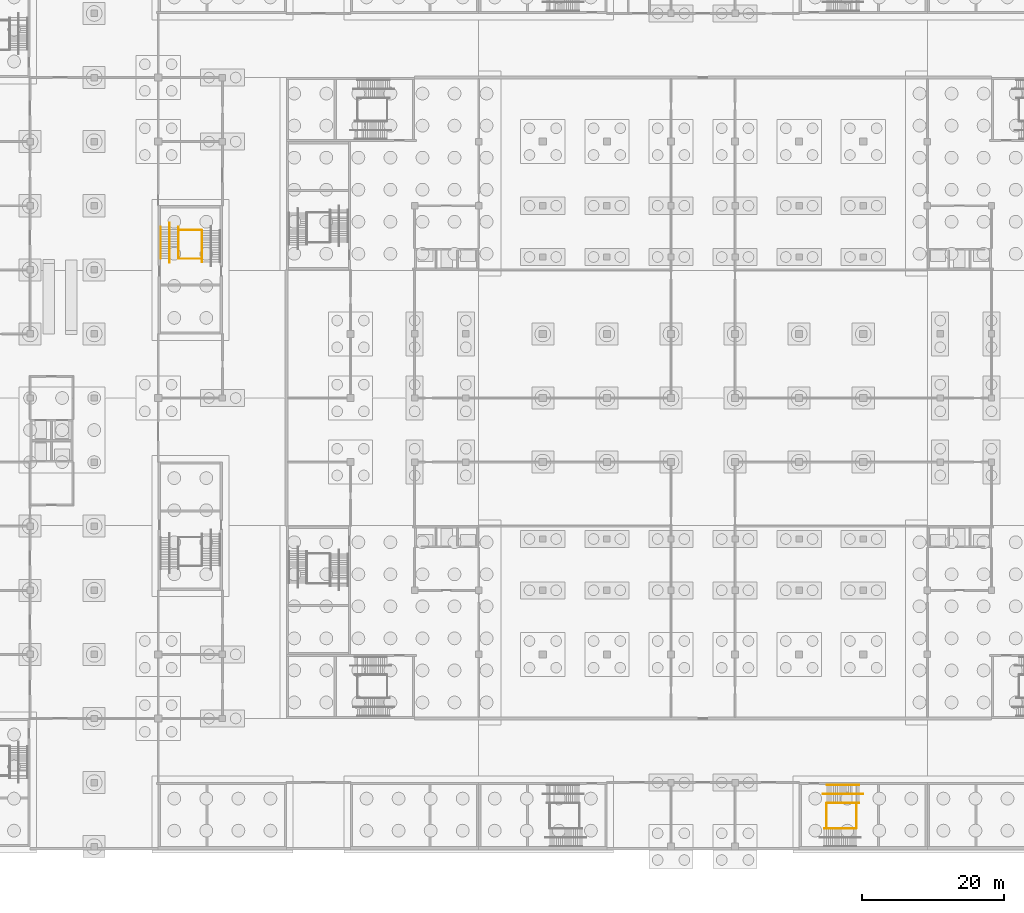
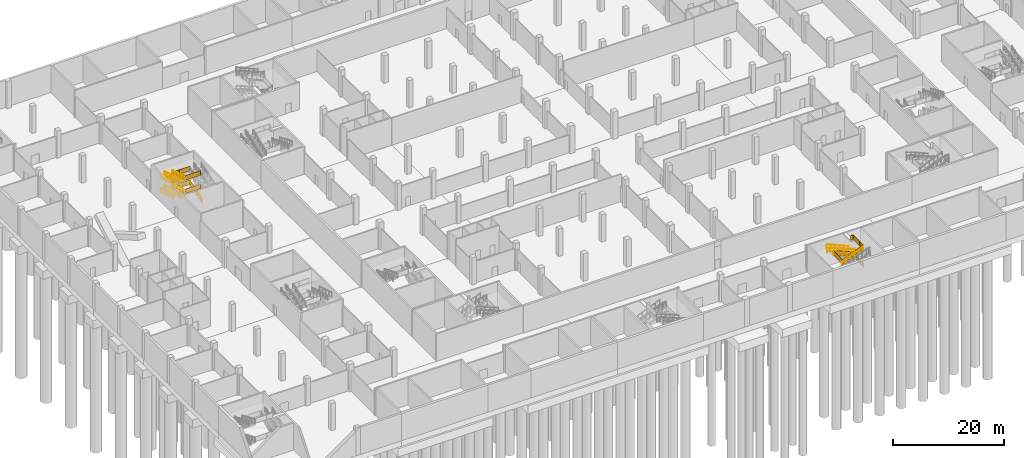
# One storey, part 30 of 42: 23 railings.
"""IFC4 building model written with IfcOpenShell, lengths in metres."""

from ifc_helpers import new_model, si_unit, direction, frame, origin, origin_2d, place, context, subcontext, project, spatial, polyline, circle, outline, extrude, material, type_object, element, save


model = new_model("IFC4")

# Units and contexts
model_context = context("Model", 3, precision=1e-05, world=origin(), true_north=direction((0.0, 1.0)))
body_context = subcontext(model_context, "Body", "Model", "MODEL_VIEW")
ifc_project = project(units=[si_unit("LENGTHUNIT", "METRE"), si_unit("AREAUNIT", "SQUARE_METRE"), si_unit("VOLUMEUNIT", "CUBIC_METRE"), si_unit("PLANEANGLEUNIT", "RADIAN"), si_unit("MASSUNIT", "GRAM", prefix="KILO")], contexts=[model_context])

# Site, building, storey
site_placement = place(None, origin())
site = spatial("IfcSite", under=ifc_project, at=site_placement, CompositionType="ELEMENT")
building_placement = place(site_placement, origin())
building = spatial("IfcBuilding", under=site, at=building_placement, Name="Silverbay Arena", CompositionType="ELEMENT")
storey_placement = place(building_placement, frame((0.0, 0.0, -6.0)))
storey = spatial("IfcBuildingStorey", under=building, at=storey_placement, Name="B1", CompositionType="ELEMENT", Elevation=-6.0)

# Railings
ifc_material_1 = material(Name="Stainless steel", Category="steel")
railing_type_1 = type_object("IfcRailingType", Name="Stair guard 1100", PredefinedType="GUARDRAIL", material=ifc_material_1)
railing_1_placement = place(storey_placement, frame((152.39990234375, 24.125, 2.125)))
element("IfcRailing", 1, at=railing_1_placement, inside=storey, type_object=railing_type_1, Name="Stair ST-S3 B1 to L00 flight 2 guard right", PredefinedType="GUARDRAIL", context=body_context, shape_type="SweptSolid", body=[
    extrude(circle(Radius=0.02392578125, at=origin_2d()), frame((0.0, 0.0, 1.076171875), z_axis=(-0.923076923077, 0.0, 0.384615384615), x_axis=(0.0, -1.0, 0.0)), (0.0, 0.0, 1.0), 4.875),
    extrude(outline(polyline([(-0.008056640625, 0.046630859375), (0.907958984375, 0.42822265625), (0.907958984375, 1.431396484375), (-0.008056640625, 1.049560546875), (-0.008056640625, 0.046630859375)])), frame((0.0, -0.0029296875, 0.0), z_axis=(0.0, 1.0, 0.0), x_axis=(-1.0, 0.0, 0.0)), (0.0, 0.0, 1.0), 0.006103515625),
    extrude(outline(polyline([(-0.008056640625, 0.421630859375), (0.907958984375, 0.80322265625), (0.907958984375, 1.806396484375), (-0.008056640625, 1.424560546875), (-0.008056640625, 0.421630859375)])), frame((-0.89990234375, -0.0029296875, 0.0), z_axis=(0.0, 1.0, 0.0), x_axis=(-1.0, 0.0, 0.0)), (0.0, 0.0, 1.0), 0.006103515625),
    extrude(outline(polyline([(-0.008056640625, 0.796630859375), (0.907958984375, 1.17822265625), (0.907958984375, 2.181396484375), (-0.008056640625, 1.799560546875), (-0.008056640625, 0.796630859375)])), frame((-1.800048828125, -0.0029296875, 0.0), z_axis=(0.0, 1.0, 0.0), x_axis=(-1.0, 0.0, 0.0)), (0.0, 0.0, 1.0), 0.006103515625),
    extrude(outline(polyline([(-0.008056640625, 1.171630859375), (0.907958984375, 1.55322265625), (0.907958984375, 2.556396484375), (-0.008056640625, 2.174560546875), (-0.008056640625, 1.171630859375)])), frame((-2.699951171875, -0.0029296875, 0.0), z_axis=(0.0, 1.0, 0.0), x_axis=(-1.0, 0.0, 0.0)), (0.0, 0.0, 1.0), 0.006103515625),
    extrude(outline(polyline([(-0.008056640625, 1.546630859375), (0.907958984375, 1.92822265625), (0.907958984375, 2.931396484375), (-0.008056640625, 2.549560546875), (-0.008056640625, 1.546630859375)])), frame((-3.60009765625, -0.0029296875, 0.0), z_axis=(0.0, 1.0, 0.0), x_axis=(-1.0, 0.0, 0.0)), (0.0, 0.0, 1.0), 0.006103515625),
    extrude(circle(Radius=0.02099609375, at=origin_2d()), origin(), (0.0, 0.0, 1.0), 1.052001953125),
    extrude(circle(Radius=0.02099609375, at=origin_2d()), frame((-0.89990234375, 0.0, 0.375)), (0.0, 0.0, 1.0), 1.052001953125),
    extrude(circle(Radius=0.02099609375, at=origin_2d()), frame((-1.800048828125, 0.0, 0.75)), (0.0, 0.0, 1.0), 1.052001953125),
    extrude(circle(Radius=0.02099609375, at=origin_2d()), frame((-2.699951171875, 0.0, 1.125)), (0.0, 0.0, 1.0), 1.052001953125),
    extrude(circle(Radius=0.02099609375, at=origin_2d()), frame((-3.60009765625, 0.0, 1.5)), (0.0, 0.0, 1.0), 1.052001953125),
    extrude(circle(Radius=0.02099609375, at=origin_2d()), frame((-4.5, 0.0, 1.875)), (0.0, 0.0, 1.0), 1.052001953125),
])
railing_2_placement = place(storey_placement, frame((147.510009765625, 20.574951171875, 4.125)))
element("IfcRailing", 2, at=railing_2_placement, inside=storey, type_object=railing_type_1, Name="Stair ST-S3 B1 to L00 flight 3 guard left", PredefinedType="GUARDRAIL", context=body_context, shape_type="SweptSolid", body=[
    extrude(circle(Radius=0.02392578125, at=origin_2d()), frame((0.0, 0.0, 1.076171875), z_axis=(0.923076923077, 0.0, 0.384615384615), x_axis=(0.0, 1.0, 0.0)), (0.0, 0.0, 1.0), 4.875),
    extrude(outline(polyline([(-0.008056640625, 0.046630859375), (0.907958984375, 0.42822265625), (0.907958984375, 1.431396484375), (-0.008056640625, 1.049560546875), (-0.008056640625, 0.046630859375)])), frame((0.0, 0.0029296875, 0.0), z_axis=(0.0, -1.0, 0.0), x_axis=(1.0, 0.0, 0.0)), (0.0, 0.0, 1.0), 0.006103515625),
    extrude(outline(polyline([(-0.008056640625, 0.421630859375), (0.907958984375, 0.80322265625), (0.907958984375, 1.806396484375), (-0.008056640625, 1.424560546875), (-0.008056640625, 0.421630859375)])), frame((0.89990234375, 0.0029296875, 0.0), z_axis=(0.0, -1.0, 0.0), x_axis=(1.0, 0.0, 0.0)), (0.0, 0.0, 1.0), 0.006103515625),
    extrude(outline(polyline([(-0.008056640625, 0.796630859375), (0.907958984375, 1.17822265625), (0.907958984375, 2.181396484375), (-0.008056640625, 1.799560546875), (-0.008056640625, 0.796630859375)])), frame((1.800048828125, 0.0029296875, 0.0), z_axis=(0.0, -1.0, 0.0), x_axis=(1.0, 0.0, 0.0)), (0.0, 0.0, 1.0), 0.006103515625),
    extrude(outline(polyline([(-0.008056640625, 1.171630859375), (0.907958984375, 1.55322265625), (0.907958984375, 2.556396484375), (-0.008056640625, 2.174560546875), (-0.008056640625, 1.171630859375)])), frame((2.699951171875, 0.0029296875, 0.0), z_axis=(0.0, -1.0, 0.0), x_axis=(1.0, 0.0, 0.0)), (0.0, 0.0, 1.0), 0.006103515625),
    extrude(outline(polyline([(-0.008056640625, 1.546630859375), (0.907958984375, 1.92822265625), (0.907958984375, 2.931396484375), (-0.008056640625, 2.549560546875), (-0.008056640625, 1.546630859375)])), frame((3.60009765625, 0.0029296875, 0.0), z_axis=(0.0, -1.0, 0.0), x_axis=(1.0, 0.0, 0.0)), (0.0, 0.0, 1.0), 0.006103515625),
    extrude(circle(Radius=0.02099609375, at=origin_2d()), origin(), (0.0, 0.0, 1.0), 1.052001953125),
    extrude(circle(Radius=0.02099609375, at=origin_2d()), frame((0.89990234375, 0.0, 0.375)), (0.0, 0.0, 1.0), 1.052001953125),
    extrude(circle(Radius=0.02099609375, at=origin_2d()), frame((1.800048828125, 0.0, 0.75)), (0.0, 0.0, 1.0), 1.052001953125),
    extrude(circle(Radius=0.02099609375, at=origin_2d()), frame((2.699951171875, 0.0, 1.125)), (0.0, 0.0, 1.0), 1.052001953125),
    extrude(circle(Radius=0.02099609375, at=origin_2d()), frame((3.60009765625, 0.0, 1.5)), (0.0, 0.0, 1.0), 1.052001953125),
    extrude(circle(Radius=0.02099609375, at=origin_2d()), frame((4.5, 0.0, 1.875)), (0.0, 0.0, 1.0), 1.052001953125),
])
for number, where, name in (
    (3, (152.06005859375, 24.10009765625, 2.0), "Stair ST-S3 B1 to L00 landing 1 guard"),
    (4, (147.85009765625, 24.10009765625, 4.0), "Stair ST-S3 B1 to L00 landing 2 guard"),
):
    element("IfcRailing", number, at=place(storey_placement, frame(where)), inside=storey, type_object=railing_type_1, Name=name, PredefinedType="GUARDRAIL", context=body_context, shape_type="SweptSolid", body=[
        extrude(circle(Radius=0.02392578125, at=origin_2d()), frame((0.0, 0.0, 1.076171875), z_axis=(0.0, -1.0, 0.0), x_axis=(1.0, 0.0, 0.0)), (0.0, 0.0, 1.0), 3.5),
        extrude(outline(polyline([(-0.008056640625, 0.050048828125), (1.174560546875, 0.050048828125), (1.174560546875, 1.052978515625), (-0.008056640625, 1.052978515625), (-0.008056640625, 0.050048828125)])), frame((0.0029296875, 0.0, 0.0), z_axis=(-1.0, 0.0, 0.0), x_axis=(0.0, -1.0, 0.0)), (0.0, 0.0, 1.0), 0.006103515625),
        extrude(outline(polyline([(-0.008056640625, 0.050048828125), (1.174560546875, 0.050048828125), (1.174560546875, 1.052978515625), (-0.008056640625, 1.052978515625), (-0.008056640625, 0.050048828125)])), frame((0.0029296875, -1.166748046875, 0.0), z_axis=(-1.0, 0.0, 0.0), x_axis=(0.0, -1.0, 0.0)), (0.0, 0.0, 1.0), 0.006103515625),
        extrude(outline(polyline([(-0.008056640625, 0.050048828125), (1.174560546875, 0.050048828125), (1.174560546875, 1.052978515625), (-0.008056640625, 1.052978515625), (-0.008056640625, 0.050048828125)])), frame((0.0029296875, -2.333251953125, 0.0), z_axis=(-1.0, 0.0, 0.0), x_axis=(0.0, -1.0, 0.0)), (0.0, 0.0, 1.0), 0.006103515625),
        extrude(circle(Radius=0.02099609375, at=origin_2d()), origin(), (0.0, 0.0, 1.0), 1.052001953125),
        extrude(circle(Radius=0.02099609375, at=origin_2d()), frame((0.0, -1.166748046875, 0.0)), (0.0, 0.0, 1.0), 1.052001953125),
        extrude(circle(Radius=0.02099609375, at=origin_2d()), frame((0.0, -2.333251953125, 0.0)), (0.0, 0.0, 1.0), 1.052001953125),
        extrude(circle(Radius=0.02099609375, at=origin_2d()), frame((0.0, -3.5, 0.0)), (0.0, 0.0, 1.0), 1.052001953125),
    ])
railing_3_placement = place(storey_placement, frame((151.449951171875, 24.14990234375, 6.0)))
element("IfcRailing", 5, at=railing_3_placement, inside=storey, type_object=railing_type_1, Name="Stair ST-S3 B1 to L00 landing 3 guard", PredefinedType="GUARDRAIL", context=body_context, shape_type="SweptSolid", body=[
    extrude(circle(Radius=0.02392578125, at=origin_2d()), frame((0.0, 0.0, 1.076171875), z_axis=(1.0, 0.0, 0.0), x_axis=(0.0, 1.0, 0.0)), (0.0, 0.0, 1.0), 0.56005859375),
    extrude(outline(polyline([(-0.008056640625, 0.050048828125), (0.568115234375, 0.050048828125), (0.568115234375, 1.052978515625), (-0.008056640625, 1.052978515625), (-0.008056640625, 0.050048828125)])), frame((0.0, 0.0029296875, 0.0), z_axis=(0.0, -1.0, 0.0), x_axis=(1.0, 0.0, 0.0)), (0.0, 0.0, 1.0), 0.006103515625),
    extrude(circle(Radius=0.02392578125, at=origin_2d()), frame((0.56005859375, 0.0, 1.076171875), z_axis=(0.0, -1.0, 0.0), x_axis=(1.0, 0.0, 0.0)), (0.0, 0.0, 1.0), 3.5498046875),
    extrude(outline(polyline([(-0.008056640625, 0.050048828125), (1.191162109375, 0.050048828125), (1.191162109375, 1.052978515625), (-0.008056640625, 1.052978515625), (-0.008056640625, 0.050048828125)])), frame((0.56298828125, 0.0, 0.0), z_axis=(-1.0, 0.0, 0.0), x_axis=(0.0, -1.0, 0.0)), (0.0, 0.0, 1.0), 0.006103515625),
    extrude(outline(polyline([(-0.008056640625, 0.050048828125), (1.191162109375, 0.050048828125), (1.191162109375, 1.052978515625), (-0.008056640625, 1.052978515625), (-0.008056640625, 0.050048828125)])), frame((0.56298828125, -1.183349609375, 0.0), z_axis=(-1.0, 0.0, 0.0), x_axis=(0.0, -1.0, 0.0)), (0.0, 0.0, 1.0), 0.006103515625),
    extrude(outline(polyline([(-0.008056640625, 0.050048828125), (1.191162109375, 0.050048828125), (1.191162109375, 1.052978515625), (-0.008056640625, 1.052978515625), (-0.008056640625, 0.050048828125)])), frame((0.56298828125, -2.366455078125, 0.0), z_axis=(-1.0, 0.0, 0.0), x_axis=(0.0, -1.0, 0.0)), (0.0, 0.0, 1.0), 0.006103515625),
    extrude(circle(Radius=0.02099609375, at=origin_2d()), origin(), (0.0, 0.0, 1.0), 1.052001953125),
    extrude(circle(Radius=0.02099609375, at=origin_2d()), frame((0.56005859375, 0.0, 0.0)), (0.0, 0.0, 1.0), 1.052001953125),
    extrude(circle(Radius=0.02099609375, at=origin_2d()), frame((0.56005859375, -1.183349609375, 0.0)), (0.0, 0.0, 1.0), 1.052001953125),
    extrude(circle(Radius=0.02099609375, at=origin_2d()), frame((0.56005859375, -2.366455078125, 0.0)), (0.0, 0.0, 1.0), 1.052001953125),
    extrude(circle(Radius=0.02099609375, at=origin_2d()), frame((0.56005859375, -3.5498046875, 0.0)), (0.0, 0.0, 1.0), 1.052001953125),
])
railing_4_placement = place(storey_placement, frame((60.125, 100.100830078125, 0.107177734375)))
element("IfcRailing", 6, at=railing_4_placement, inside=storey, type_object=railing_type_1, Name="Stair ST-W2 B1 to L00 flight 1 guard right", PredefinedType="GUARDRAIL", context=body_context, shape_type="SweptSolid", body=[
    extrude(circle(Radius=0.02392578125, at=origin_2d()), frame((0.0, 0.0, 1.076171875), z_axis=(0.0, 0.953769580967, 0.300538826811), x_axis=(-1.0, 0.0, 0.0)), (0.0, 0.0, 1.0), 4.634521484375),
    extrude(outline(polyline([(-0.008056640625, 0.04736328125), (1.113037109375, 0.400634765625), (1.113037109375, 1.40380859375), (-0.008056640625, 1.050537109375), (-0.008056640625, 0.04736328125)])), frame((-0.0029296875, 0.0, 0.0), z_axis=(1.0, 0.0, 0.0), x_axis=(0.0, 1.0, 0.0)), (0.0, 0.0, 1.0), 0.006103515625),
    extrude(outline(polyline([(-0.008056640625, 0.395751953125), (1.113037109375, 0.7490234375), (1.113037109375, 1.751953125), (-0.008056640625, 1.398681640625), (-0.008056640625, 0.395751953125)])), frame((-0.0029296875, 1.10498046875, 0.0), z_axis=(1.0, 0.0, 0.0), x_axis=(0.0, 1.0, 0.0)), (0.0, 0.0, 1.0), 0.006103515625),
    extrude(outline(polyline([(-0.008056640625, 0.743896484375), (1.113037109375, 1.09716796875), (1.113037109375, 2.10009765625), (-0.008056640625, 1.746826171875), (-0.008056640625, 0.743896484375)])), frame((-0.0029296875, 2.2099609375, 0.0), z_axis=(1.0, 0.0, 0.0), x_axis=(0.0, 1.0, 0.0)), (0.0, 0.0, 1.0), 0.006103515625),
    extrude(outline(polyline([(-0.008056640625, 1.092041015625), (1.113037109375, 1.4453125), (1.113037109375, 2.4482421875), (-0.008056640625, 2.09521484375), (-0.008056640625, 1.092041015625)])), frame((-0.0029296875, 3.315185546875, 0.0), z_axis=(1.0, 0.0, 0.0), x_axis=(0.0, 1.0, 0.0)), (0.0, 0.0, 1.0), 0.006103515625),
    extrude(circle(Radius=0.02099609375, at=origin_2d()), origin(), (0.0, 0.0, 1.0), 1.052001953125),
    extrude(circle(Radius=0.02099609375, at=origin_2d()), frame((0.0, 1.10498046875, 0.34814453125)), (0.0, 0.0, 1.0), 1.052001953125),
    extrude(circle(Radius=0.02099609375, at=origin_2d()), frame((0.0, 2.2099609375, 0.6962890625)), (0.0, 0.0, 1.0), 1.052001953125),
    extrude(circle(Radius=0.02099609375, at=origin_2d()), frame((0.0, 3.315185546875, 1.044677734375)), (0.0, 0.0, 1.0), 1.052001953125),
    extrude(circle(Radius=0.02099609375, at=origin_2d()), frame((0.0, 4.420166015625, 1.392822265625)), (0.0, 0.0, 1.0), 1.052001953125),
])
railing_5_placement = place(storey_placement, frame((56.875, 105.02001953125, 1.607177734375)))
element("IfcRailing", 7, at=railing_5_placement, inside=storey, type_object=railing_type_1, Name="Stair ST-W2 B1 to L00 flight 2 guard left", PredefinedType="GUARDRAIL", context=body_context, shape_type="SweptSolid", body=[
    extrude(circle(Radius=0.02392578125, at=origin_2d()), frame((0.0, 0.0, 1.076171875), z_axis=(0.0, -0.953764822371, 0.300553927951), x_axis=(1.0, 0.0, 0.0)), (0.0, 0.0, 1.0), 4.63427734375),
    extrude(outline(polyline([(-0.008056640625, 0.04736328125), (1.113037109375, 0.400634765625), (1.113037109375, 1.40380859375), (-0.008056640625, 1.050537109375), (-0.008056640625, 0.04736328125)])), frame((0.0029296875, 0.0, 0.0), z_axis=(-1.0, 0.0, 0.0), x_axis=(0.0, -1.0, 0.0)), (0.0, 0.0, 1.0), 0.006103515625),
    extrude(outline(polyline([(-0.008056640625, 0.395751953125), (1.113037109375, 0.7490234375), (1.113037109375, 1.751953125), (-0.008056640625, 1.398681640625), (-0.008056640625, 0.395751953125)])), frame((0.0029296875, -1.10498046875, 0.0), z_axis=(-1.0, 0.0, 0.0), x_axis=(0.0, -1.0, 0.0)), (0.0, 0.0, 1.0), 0.006103515625),
    extrude(outline(polyline([(-0.008056640625, 0.743896484375), (1.113037109375, 1.09716796875), (1.113037109375, 2.10009765625), (-0.008056640625, 1.746826171875), (-0.008056640625, 0.743896484375)])), frame((0.0029296875, -2.2099609375, 0.0), z_axis=(-1.0, 0.0, 0.0), x_axis=(0.0, -1.0, 0.0)), (0.0, 0.0, 1.0), 0.006103515625),
    extrude(outline(polyline([(-0.008056640625, 1.092041015625), (1.113037109375, 1.4453125), (1.113037109375, 2.4482421875), (-0.008056640625, 2.09521484375), (-0.008056640625, 1.092041015625)])), frame((0.0029296875, -3.31494140625, 0.0), z_axis=(-1.0, 0.0, 0.0), x_axis=(0.0, -1.0, 0.0)), (0.0, 0.0, 1.0), 0.006103515625),
    extrude(circle(Radius=0.02099609375, at=origin_2d()), origin(), (0.0, 0.0, 1.0), 1.052001953125),
    extrude(circle(Radius=0.02099609375, at=origin_2d()), frame((0.0, -1.10498046875, 0.34814453125)), (0.0, 0.0, 1.0), 1.052001953125),
    extrude(circle(Radius=0.02099609375, at=origin_2d()), frame((0.0, -2.2099609375, 0.6962890625)), (0.0, 0.0, 1.0), 1.052001953125),
    extrude(circle(Radius=0.02099609375, at=origin_2d()), frame((0.0, -3.31494140625, 1.044677734375)), (0.0, 0.0, 1.0), 1.052001953125),
    extrude(circle(Radius=0.02099609375, at=origin_2d()), frame((0.0, -4.419921875, 1.392822265625)), (0.0, 0.0, 1.0), 1.052001953125),
])
railing_6_placement = place(storey_placement, frame((56.875, 105.02001953125, 4.607177734375)))
element("IfcRailing", 8, at=railing_6_placement, inside=storey, type_object=railing_type_1, Name="Stair ST-W2 B1 to L00 flight 4 guard left", PredefinedType="GUARDRAIL", context=body_context, shape_type="SweptSolid", body=[
    extrude(circle(Radius=0.02392578125, at=origin_2d()), frame((0.0, 0.0, 1.076171875), z_axis=(0.0, -0.953764822371, 0.300553927951), x_axis=(1.0, 0.0, 0.0)), (0.0, 0.0, 1.0), 4.63427734375),
    extrude(outline(polyline([(-0.008056640625, 0.04736328125), (1.113037109375, 0.400634765625), (1.113037109375, 1.40380859375), (-0.008056640625, 1.050537109375), (-0.008056640625, 0.04736328125)])), frame((0.0029296875, 0.0, 0.0), z_axis=(-1.0, 0.0, 0.0), x_axis=(0.0, -1.0, 0.0)), (0.0, 0.0, 1.0), 0.006103515625),
    extrude(outline(polyline([(-0.008056640625, 0.395751953125), (1.113037109375, 0.7490234375), (1.113037109375, 1.751953125), (-0.008056640625, 1.398681640625), (-0.008056640625, 0.395751953125)])), frame((0.0029296875, -1.10498046875, 0.0), z_axis=(-1.0, 0.0, 0.0), x_axis=(0.0, -1.0, 0.0)), (0.0, 0.0, 1.0), 0.006103515625),
    extrude(outline(polyline([(-0.008056640625, 0.743896484375), (1.113037109375, 1.09716796875), (1.113037109375, 2.10009765625), (-0.008056640625, 1.746826171875), (-0.008056640625, 0.743896484375)])), frame((0.0029296875, -2.2099609375, 0.0), z_axis=(-1.0, 0.0, 0.0), x_axis=(0.0, -1.0, 0.0)), (0.0, 0.0, 1.0), 0.006103515625),
    extrude(outline(polyline([(-0.008056640625, 1.092041015625), (1.113037109375, 1.4453125), (1.113037109375, 2.4482421875), (-0.008056640625, 2.09521484375), (-0.008056640625, 1.092041015625)])), frame((0.0029296875, -3.31494140625, 0.0), z_axis=(-1.0, 0.0, 0.0), x_axis=(0.0, -1.0, 0.0)), (0.0, 0.0, 1.0), 0.006103515625),
    extrude(circle(Radius=0.02099609375, at=origin_2d()), origin(), (0.0, 0.0, 1.0), 1.052001953125),
    extrude(circle(Radius=0.02099609375, at=origin_2d()), frame((0.0, -1.10498046875, 0.34814453125)), (0.0, 0.0, 1.0), 1.052001953125),
    extrude(circle(Radius=0.02099609375, at=origin_2d()), frame((0.0, -2.2099609375, 0.6962890625)), (0.0, 0.0, 1.0), 1.052001953125),
    extrude(circle(Radius=0.02099609375, at=origin_2d()), frame((0.0, -3.31494140625, 1.044677734375)), (0.0, 0.0, 1.0), 1.052001953125),
    extrude(circle(Radius=0.02099609375, at=origin_2d()), frame((0.0, -4.419921875, 1.392822265625)), (0.0, 0.0, 1.0), 1.052001953125),
])
for number, where, name in (
    (9, (60.10009765625, 104.571044921875, 1.5), "Stair ST-W2 B1 to L00 landing 1 guard"),
    (10, (60.10009765625, 100.550048828125, 3.0), "Stair ST-W2 B1 to L00 landing 2 guard"),
    (11, (60.10009765625, 104.571044921875, 4.5), "Stair ST-W2 B1 to L00 landing 3 guard"),
    (12, (60.10009765625, 100.550048828125, 6.0), "Stair ST-W2 B1 to L00 landing 4 guard"),
):
    element("IfcRailing", number, at=place(storey_placement, frame(where)), inside=storey, type_object=railing_type_1, Name=name, PredefinedType="GUARDRAIL", context=body_context, shape_type="SweptSolid", body=[
        extrude(circle(Radius=0.02392578125, at=origin_2d()), frame((0.0, 0.0, 1.076171875), z_axis=(-1.0, 0.0, 0.0), x_axis=(0.0, -1.0, 0.0)), (0.0, 0.0, 1.0), 3.2001953125),
        extrude(outline(polyline([(-0.008056640625, 0.050048828125), (1.07470703125, 0.050048828125), (1.07470703125, 1.052978515625), (-0.008056640625, 1.052978515625), (-0.008056640625, 0.050048828125)])), frame((0.0, -0.0029296875, 0.0), z_axis=(0.0, 1.0, 0.0), x_axis=(-1.0, 0.0, 0.0)), (0.0, 0.0, 1.0), 0.006103515625),
        extrude(outline(polyline([(-0.008056640625, 0.050048828125), (1.07470703125, 0.050048828125), (1.07470703125, 1.052978515625), (-0.008056640625, 1.052978515625), (-0.008056640625, 0.050048828125)])), frame((-1.066650390625, -0.0029296875, 0.0), z_axis=(0.0, 1.0, 0.0), x_axis=(-1.0, 0.0, 0.0)), (0.0, 0.0, 1.0), 0.006103515625),
        extrude(outline(polyline([(-0.008056640625, 0.050048828125), (1.07470703125, 0.050048828125), (1.07470703125, 1.052978515625), (-0.008056640625, 1.052978515625), (-0.008056640625, 0.050048828125)])), frame((-2.133544921875, -0.0029296875, 0.0), z_axis=(0.0, 1.0, 0.0), x_axis=(-1.0, 0.0, 0.0)), (0.0, 0.0, 1.0), 0.006103515625),
        extrude(circle(Radius=0.02099609375, at=origin_2d()), origin(), (0.0, 0.0, 1.0), 1.052001953125),
        extrude(circle(Radius=0.02099609375, at=origin_2d()), frame((-1.066650390625, 0.0, 0.0)), (0.0, 0.0, 1.0), 1.052001953125),
        extrude(circle(Radius=0.02099609375, at=origin_2d()), frame((-2.133544921875, 0.0, 0.0)), (0.0, 0.0, 1.0), 1.052001953125),
        extrude(circle(Radius=0.02099609375, at=origin_2d()), frame((-3.2001953125, 0.0, 0.0)), (0.0, 0.0, 1.0), 1.052001953125),
    ])
ifc_material_2 = material(Name="Stainless steel", Category="steel")
railing_type_2 = type_object("IfcRailingType", Name="Stair handrail 900", PredefinedType="HANDRAIL", material=ifc_material_2)
for number, where, name in (
    (13, (152.39990234375, 26.64990234375, 2.125), "Stair ST-S3 B1 to L00 flight 2 handrail left"),
    (14, (152.39990234375, 24.1640625, 2.125), "Stair ST-S3 B1 to L00 flight 2 handrail right"),
):
    element("IfcRailing", number, at=place(storey_placement, frame(where)), inside=storey, type_object=railing_type_2, Name=name, PredefinedType="HANDRAIL", context=body_context, shape_type="SweptSolid", body=[
        extrude(circle(Radius=0.02392578125, at=origin_2d()), frame((0.0, 0.0, 0.8759765625), z_axis=(-0.923076923077, 0.0, 0.384615384615), x_axis=(0.0, -1.0, 0.0)), (0.0, 0.0, 1.0), 4.875),
        extrude(circle(Radius=0.02099609375, at=origin_2d()), origin(), (0.0, 0.0, 1.0), 0.851806640625),
        extrude(circle(Radius=0.02099609375, at=origin_2d()), frame((-0.89990234375, 0.0, 0.375)), (0.0, 0.0, 1.0), 0.851806640625),
        extrude(circle(Radius=0.02099609375, at=origin_2d()), frame((-1.800048828125, 0.0, 0.75)), (0.0, 0.0, 1.0), 0.851806640625),
        extrude(circle(Radius=0.02099609375, at=origin_2d()), frame((-2.699951171875, 0.0, 1.125)), (0.0, 0.0, 1.0), 0.851806640625),
        extrude(circle(Radius=0.02099609375, at=origin_2d()), frame((-3.60009765625, 0.0, 1.5)), (0.0, 0.0, 1.0), 0.851806640625),
        extrude(circle(Radius=0.02099609375, at=origin_2d()), frame((-4.5, 0.0, 1.875)), (0.0, 0.0, 1.0), 0.851806640625),
    ])
railing_7_placement = place(storey_placement, frame((153.0, 25.39990234375, 2.0)))
element("IfcRailing", 15, at=railing_7_placement, inside=storey, type_object=railing_type_2, Name="Stair ST-S3 B1 to L00 flight 2 central handrail", PredefinedType="HANDRAIL", context=body_context, shape_type="SweptSolid", body=[
    extrude(circle(Radius=0.02392578125, at=origin_2d()), frame((0.0, 0.0, 0.8759765625), z_axis=(-0.978987046276, 0.0, 0.203922444139), x_axis=(0.0, -1.0, 0.0)), (0.0, 0.0, 1.0), 0.613037109375),
    extrude(circle(Radius=0.02392578125, at=origin_2d()), frame((-0.60009765625, 0.0, 1.0009765625), z_axis=(-0.923076923077, 0.0, 0.384615384615), x_axis=(0.0, -1.0, 0.0)), (0.0, 0.0, 1.0), 4.875),
    extrude(circle(Radius=0.02392578125, at=origin_2d()), frame((-5.10009765625, 0.0, 2.8759765625), z_axis=(-1.0, 0.0, 0.0), x_axis=(0.0, -1.0, 0.0)), (0.0, 0.0, 1.0), 0.599853515625),
    extrude(circle(Radius=0.02099609375, at=origin_2d()), origin(), (0.0, 0.0, 1.0), 0.851806640625),
    extrude(circle(Radius=0.02099609375, at=origin_2d()), frame((-0.60009765625, 0.0, 0.125)), (0.0, 0.0, 1.0), 0.851806640625),
    extrude(circle(Radius=0.02099609375, at=origin_2d()), frame((-1.5, 0.0, 0.5)), (0.0, 0.0, 1.0), 0.851806640625),
    extrude(circle(Radius=0.02099609375, at=origin_2d()), frame((-2.400146484375, 0.0, 0.875)), (0.0, 0.0, 1.0), 0.851806640625),
    extrude(circle(Radius=0.02099609375, at=origin_2d()), frame((-3.300048828125, 0.0, 1.25)), (0.0, 0.0, 1.0), 0.851806640625),
    extrude(circle(Radius=0.02099609375, at=origin_2d()), frame((-4.2001953125, 0.0, 1.625)), (0.0, 0.0, 1.0), 0.851806640625),
    extrude(circle(Radius=0.02099609375, at=origin_2d()), frame((-5.10009765625, 0.0, 2.0)), (0.0, 0.0, 1.0), 0.851806640625),
    extrude(circle(Radius=0.02099609375, at=origin_2d()), frame((-5.699951171875, 0.0, 2.0)), (0.0, 0.0, 1.0), 0.851806640625),
])
railing_8_placement = place(storey_placement, frame((147.510009765625, 20.535888671875, 4.125)))
element("IfcRailing", 16, at=railing_8_placement, inside=storey, type_object=railing_type_2, Name="Stair ST-S3 B1 to L00 flight 3 handrail left", PredefinedType="HANDRAIL", context=body_context, shape_type="SweptSolid", body=[
    extrude(circle(Radius=0.02392578125, at=origin_2d()), frame((0.0, 0.0, 0.8759765625), z_axis=(0.923076923077, 0.0, 0.384615384615), x_axis=(0.0, 1.0, 0.0)), (0.0, 0.0, 1.0), 4.875),
    extrude(circle(Radius=0.02099609375, at=origin_2d()), origin(), (0.0, 0.0, 1.0), 0.851806640625),
    extrude(circle(Radius=0.02099609375, at=origin_2d()), frame((0.89990234375, 0.0, 0.375)), (0.0, 0.0, 1.0), 0.851806640625),
    extrude(circle(Radius=0.02099609375, at=origin_2d()), frame((1.800048828125, 0.0, 0.75)), (0.0, 0.0, 1.0), 0.851806640625),
    extrude(circle(Radius=0.02099609375, at=origin_2d()), frame((2.699951171875, 0.0, 1.125)), (0.0, 0.0, 1.0), 0.851806640625),
    extrude(circle(Radius=0.02099609375, at=origin_2d()), frame((3.60009765625, 0.0, 1.5)), (0.0, 0.0, 1.0), 0.851806640625),
    extrude(circle(Radius=0.02099609375, at=origin_2d()), frame((4.5, 0.0, 1.875)), (0.0, 0.0, 1.0), 0.851806640625),
])
railing_9_placement = place(storey_placement, frame((60.1640625, 100.100830078125, 0.107177734375)))
element("IfcRailing", 17, at=railing_9_placement, inside=storey, type_object=railing_type_2, Name="Stair ST-W2 B1 to L00 flight 1 handrail right", PredefinedType="HANDRAIL", context=body_context, shape_type="SweptSolid", body=[
    extrude(circle(Radius=0.02392578125, at=origin_2d()), frame((0.0, 0.0, 0.8759765625), z_axis=(0.0, 0.953769580967, 0.300538826811), x_axis=(-1.0, 0.0, 0.0)), (0.0, 0.0, 1.0), 4.634521484375),
    extrude(circle(Radius=0.02099609375, at=origin_2d()), origin(), (0.0, 0.0, 1.0), 0.851806640625),
    extrude(circle(Radius=0.02099609375, at=origin_2d()), frame((0.0, 1.10498046875, 0.34814453125)), (0.0, 0.0, 1.0), 0.851806640625),
    extrude(circle(Radius=0.02099609375, at=origin_2d()), frame((0.0, 2.2099609375, 0.6962890625)), (0.0, 0.0, 1.0), 0.851806640625),
    extrude(circle(Radius=0.02099609375, at=origin_2d()), frame((0.0, 3.315185546875, 1.044677734375)), (0.0, 0.0, 1.0), 0.851806640625),
    extrude(circle(Radius=0.02099609375, at=origin_2d()), frame((0.0, 4.420166015625, 1.392822265625)), (0.0, 0.0, 1.0), 0.851806640625),
])
for number, where, name in (
    (18, (56.8359375, 105.02001953125, 1.607177734375), "Stair ST-W2 B1 to L00 flight 2 handrail left"),
    (19, (54.35009765625, 105.02001953125, 1.607177734375), "Stair ST-W2 B1 to L00 flight 2 handrail right"),
):
    element("IfcRailing", number, at=place(storey_placement, frame(where)), inside=storey, type_object=railing_type_2, Name=name, PredefinedType="HANDRAIL", context=body_context, shape_type="SweptSolid", body=[
        extrude(circle(Radius=0.02392578125, at=origin_2d()), frame((0.0, 0.0, 0.8759765625), z_axis=(0.0, -0.953764822371, 0.300553927951), x_axis=(1.0, 0.0, 0.0)), (0.0, 0.0, 1.0), 4.63427734375),
        extrude(circle(Radius=0.02099609375, at=origin_2d()), origin(), (0.0, 0.0, 1.0), 0.851806640625),
        extrude(circle(Radius=0.02099609375, at=origin_2d()), frame((0.0, -1.10498046875, 0.34814453125)), (0.0, 0.0, 1.0), 0.851806640625),
        extrude(circle(Radius=0.02099609375, at=origin_2d()), frame((0.0, -2.2099609375, 0.6962890625)), (0.0, 0.0, 1.0), 0.851806640625),
        extrude(circle(Radius=0.02099609375, at=origin_2d()), frame((0.0, -3.31494140625, 1.044677734375)), (0.0, 0.0, 1.0), 0.851806640625),
        extrude(circle(Radius=0.02099609375, at=origin_2d()), frame((0.0, -4.419921875, 1.392822265625)), (0.0, 0.0, 1.0), 0.851806640625),
    ])
railing_10_placement = place(storey_placement, frame((55.60009765625, 105.6201171875, 1.5)))
element("IfcRailing", 20, at=railing_10_placement, inside=storey, type_object=railing_type_2, Name="Stair ST-W2 B1 to L00 flight 2 central handrail", PredefinedType="HANDRAIL", context=body_context, shape_type="SweptSolid", body=[
    extrude(circle(Radius=0.02392578125, at=origin_2d()), frame((0.0, 0.0, 0.8759765625), z_axis=(0.0, -0.984422624594, 0.175818361349), x_axis=(1.0, 0.0, 0.0)), (0.0, 0.0, 1.0), 0.609619140625),
    extrude(circle(Radius=0.02392578125, at=origin_2d()), frame((0.0, -0.60009765625, 0.98291015625), z_axis=(0.0, -0.953764822371, 0.300553927951), x_axis=(1.0, 0.0, 0.0)), (0.0, 0.0, 1.0), 4.63427734375),
    extrude(circle(Radius=0.02392578125, at=origin_2d()), frame((0.0, -5.02001953125, 2.3759765625), z_axis=(0.0, -1.0, 0.0), x_axis=(1.0, 0.0, 0.0)), (0.0, 0.0, 1.0), 0.60009765625),
    extrude(circle(Radius=0.02099609375, at=origin_2d()), origin(), (0.0, 0.0, 1.0), 0.851806640625),
    extrude(circle(Radius=0.02099609375, at=origin_2d()), frame((0.0, -0.60009765625, 0.107177734375)), (0.0, 0.0, 1.0), 0.851806640625),
    extrude(circle(Radius=0.02099609375, at=origin_2d()), frame((0.0, -1.705078125, 0.455322265625)), (0.0, 0.0, 1.0), 0.851806640625),
    extrude(circle(Radius=0.02099609375, at=origin_2d()), frame((0.0, -2.81005859375, 0.8037109375)), (0.0, 0.0, 1.0), 0.851806640625),
    extrude(circle(Radius=0.02099609375, at=origin_2d()), frame((0.0, -3.9150390625, 1.15185546875)), (0.0, 0.0, 1.0), 0.851806640625),
    extrude(circle(Radius=0.02099609375, at=origin_2d()), frame((0.0, -5.02001953125, 1.5)), (0.0, 0.0, 1.0), 0.851806640625),
    extrude(circle(Radius=0.02099609375, at=origin_2d()), frame((0.0, -5.6201171875, 1.5)), (0.0, 0.0, 1.0), 0.851806640625),
])
for number, where, name in (
    (21, (56.8359375, 105.02001953125, 4.607177734375), "Stair ST-W2 B1 to L00 flight 4 handrail left"),
    (22, (54.35009765625, 105.02001953125, 4.607177734375), "Stair ST-W2 B1 to L00 flight 4 handrail right"),
):
    element("IfcRailing", number, at=place(storey_placement, frame(where)), inside=storey, type_object=railing_type_2, Name=name, PredefinedType="HANDRAIL", context=body_context, shape_type="SweptSolid", body=[
        extrude(circle(Radius=0.02392578125, at=origin_2d()), frame((0.0, 0.0, 0.8759765625), z_axis=(0.0, -0.953764822371, 0.300553927951), x_axis=(1.0, 0.0, 0.0)), (0.0, 0.0, 1.0), 4.63427734375),
        extrude(circle(Radius=0.02099609375, at=origin_2d()), origin(), (0.0, 0.0, 1.0), 0.851806640625),
        extrude(circle(Radius=0.02099609375, at=origin_2d()), frame((0.0, -1.10498046875, 0.34814453125)), (0.0, 0.0, 1.0), 0.851806640625),
        extrude(circle(Radius=0.02099609375, at=origin_2d()), frame((0.0, -2.2099609375, 0.6962890625)), (0.0, 0.0, 1.0), 0.851806640625),
        extrude(circle(Radius=0.02099609375, at=origin_2d()), frame((0.0, -3.31494140625, 1.044677734375)), (0.0, 0.0, 1.0), 0.851806640625),
        extrude(circle(Radius=0.02099609375, at=origin_2d()), frame((0.0, -4.419921875, 1.392822265625)), (0.0, 0.0, 1.0), 0.851806640625),
    ])
railing_11_placement = place(storey_placement, frame((55.60009765625, 105.6201171875, 4.5)))
element("IfcRailing", 23, at=railing_11_placement, inside=storey, type_object=railing_type_2, Name="Stair ST-W2 B1 to L00 flight 4 central handrail", PredefinedType="HANDRAIL", context=body_context, shape_type="SweptSolid", body=[
    extrude(circle(Radius=0.02392578125, at=origin_2d()), frame((0.0, 0.0, 0.8759765625), z_axis=(0.0, -0.984422624594, 0.175818361349), x_axis=(1.0, 0.0, 0.0)), (0.0, 0.0, 1.0), 0.609619140625),
    extrude(circle(Radius=0.02392578125, at=origin_2d()), frame((0.0, -0.60009765625, 0.98291015625), z_axis=(0.0, -0.953764822371, 0.300553927951), x_axis=(1.0, 0.0, 0.0)), (0.0, 0.0, 1.0), 4.63427734375),
    extrude(circle(Radius=0.02392578125, at=origin_2d()), frame((0.0, -5.02001953125, 2.3759765625), z_axis=(0.0, -1.0, 0.0), x_axis=(1.0, 0.0, 0.0)), (0.0, 0.0, 1.0), 0.60009765625),
    extrude(circle(Radius=0.02099609375, at=origin_2d()), origin(), (0.0, 0.0, 1.0), 0.851806640625),
    extrude(circle(Radius=0.02099609375, at=origin_2d()), frame((0.0, -0.60009765625, 0.107177734375)), (0.0, 0.0, 1.0), 0.851806640625),
    extrude(circle(Radius=0.02099609375, at=origin_2d()), frame((0.0, -1.705078125, 0.455322265625)), (0.0, 0.0, 1.0), 0.851806640625),
    extrude(circle(Radius=0.02099609375, at=origin_2d()), frame((0.0, -2.81005859375, 0.8037109375)), (0.0, 0.0, 1.0), 0.851806640625),
    extrude(circle(Radius=0.02099609375, at=origin_2d()), frame((0.0, -3.9150390625, 1.15185546875)), (0.0, 0.0, 1.0), 0.851806640625),
    extrude(circle(Radius=0.02099609375, at=origin_2d()), frame((0.0, -5.02001953125, 1.5)), (0.0, 0.0, 1.0), 0.851806640625),
    extrude(circle(Radius=0.02099609375, at=origin_2d()), frame((0.0, -5.6201171875, 1.5)), (0.0, 0.0, 1.0), 0.851806640625),
])

save(model, "model.ifc")
